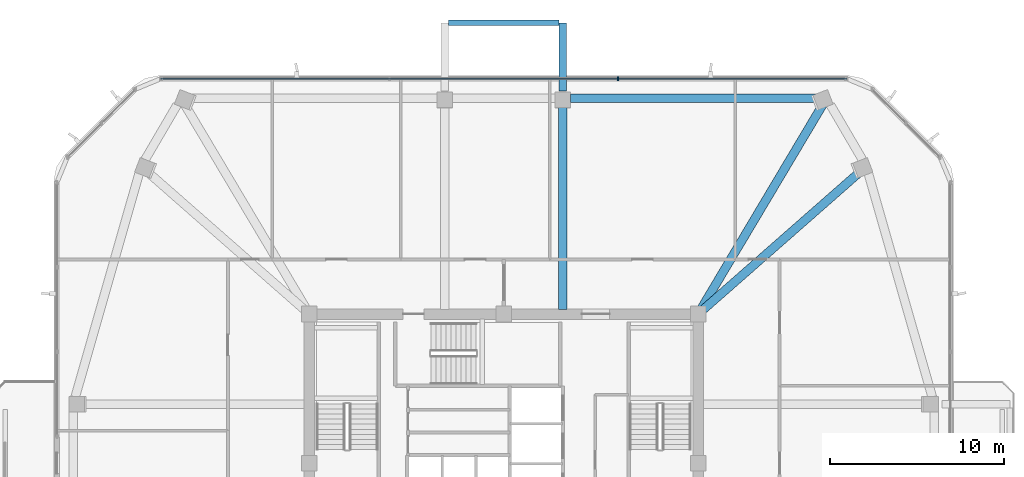
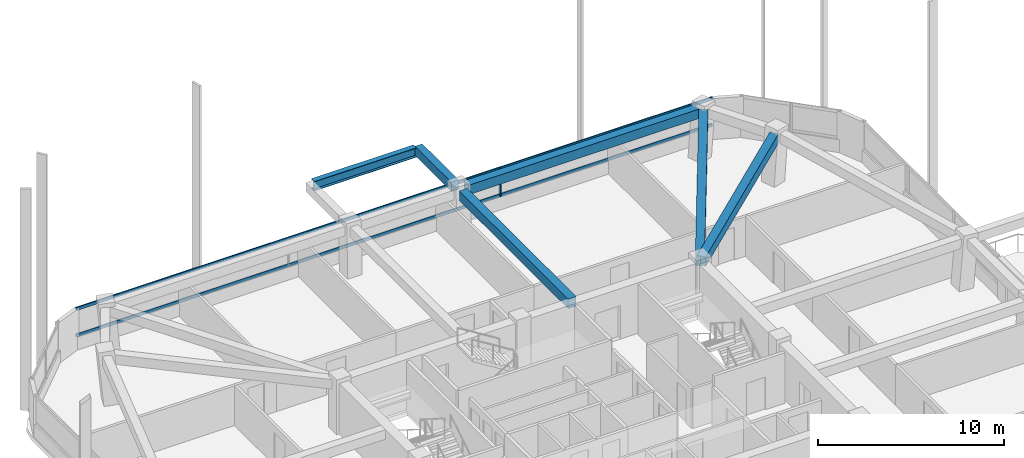
# One storey, part 7 of 17: 6 beams, 3 members, 1 element without a shape of its own.
"""IFC4 building model written with IfcOpenShell, lengths in metres."""

from ifc_helpers import new_model, si_unit, derived_unit, direction, frame, origin, origin_2d, place, context, subcontext, project, spatial, rectangle, i_section, extrude, material, material_profile, profile_set, type_object, element, aggregate, save


model = new_model("IFC4")

# Units and contexts
model_context = context("Model", 3, precision=1e-05, world=origin(), true_north=direction((0.0, 1.0)))
body_context = subcontext(model_context, "Body", "Model", "MODEL_VIEW")
ifc_project = project(units=[si_unit("LENGTHUNIT", "METRE"), si_unit("AREAUNIT", "SQUARE_METRE"), si_unit("VOLUMEUNIT", "CUBIC_METRE"), si_unit("PLANEANGLEUNIT", "RADIAN"), si_unit("MASSUNIT", "GRAM", prefix="KILO"), derived_unit("THERMALTRANSMITTANCEUNIT", [(si_unit("POWERUNIT", "WATT"), 1), (si_unit("LENGTHUNIT", "METRE"), -2), (si_unit("THERMODYNAMICTEMPERATUREUNIT", "KELVIN"), -1)])], contexts=[model_context])

# Site, building, storey
site_placement = place(None, origin())
site = spatial("IfcSite", under=ifc_project, at=site_placement, CompositionType="ELEMENT")
building_placement = place(site_placement, origin())
building = spatial("IfcBuilding", under=site, at=building_placement, Name="Koralith Skygarden Medical Center", CompositionType="ELEMENT")
storey_placement = place(building_placement, frame((0.0, 0.0, 207.179931640625)))
storey = spatial("IfcBuildingStorey", under=building, at=storey_placement, Name="L53", CompositionType="ELEMENT", Elevation=207.179931640625)

# Curtain wall, members
ifc_material_1 = material(Name="Clear Laminated Glass", Category="glass")
curtain_wall_type = type_object("IfcCurtainWallType", Name="CW-5 Zone 4 Flare Biophilic Curtain Wall", PredefinedType="NOTDEFINED", material=ifc_material_1)
curtain_wall_placement = place(storey_placement, origin())
curtain_wall = element("IfcCurtainWall", 1, at=curtain_wall_placement, inside=storey, type_object=curtain_wall_type, Name="Curtain Wall CW-L53-N", PredefinedType="NOTDEFINED")
ifc_material_2 = material(Name="Aluminium 6063-T6", Category="aluminium")
ifc_material_profile_1 = material_profile(ifc_material_2, rectangle(XDim=0.080078125, YDim=0.219970703125, at=origin_2d()), Name="MUL80X220")
ifc_profile_set_1 = profile_set([ifc_material_profile_1], Name="Aluminium 6063-T6")
member_type_1 = type_object("IfcMemberType", Name="CW-5 Extruded Mullion 80x220", PredefinedType="MULLION", material=ifc_profile_set_1)
member_1_placement = place(storey_placement, frame((43.592041015625, 48.056884765625, 0.85009765625), z_axis=(0.0, 0.0, 1.0), x_axis=(1.0, 0.0, 0.0)))
member_1 = element("IfcMember", 2, at=member_1_placement, type_object=member_type_1, Name="CW-L53-N Mullion 2", PredefinedType="MULLION", context=body_context, shape_type="SweptSolid", body=[
    extrude(rectangle(XDim=0.080078125, YDim=0.219970703125, at=origin_2d()), origin(), (0.0, 0.0, 1.0), 1.840087890625),
])
ifc_material_profile_2 = material_profile(ifc_material_2, rectangle(XDim=0.074951171875, YDim=0.197998046875, at=origin_2d()), Name="TRN75X198")
ifc_profile_set_2 = profile_set([ifc_material_profile_2], Name="Aluminium 6063-T6")
member_type_2 = type_object("IfcMemberType", Name="CW-5 Thermal Transom 75x198", PredefinedType="USERDEFINED", material=ifc_profile_set_2)
member_2_placement = place(storey_placement, frame((56.777099609375, 48.056884765625, 0.900146484375), z_axis=(-1.0, 0.0, 0.0), x_axis=(0.0, -1.0, 0.0)))
member_2 = element("IfcMember", 3, at=member_2_placement, type_object=member_type_2, Name="CW-L53-N Transom 1", ObjectType="TRANSOM", PredefinedType="USERDEFINED", context=body_context, shape_type="SweptSolid", body=[
    extrude(rectangle(XDim=0.074951171875, YDim=0.197998046875, at=origin_2d()), origin(), (0.0, 0.0, 1.0), 39.55419921875),
])
member_3_placement = place(storey_placement, frame((56.777099609375, 48.056884765625, 2.64013671875), z_axis=(-1.0, 0.0, 0.0), x_axis=(0.0, -1.0, 0.0)))
member_3 = element("IfcMember", 4, at=member_3_placement, type_object=member_type_2, Name="CW-L53-N Transom 2", ObjectType="TRANSOM", PredefinedType="USERDEFINED", context=body_context, shape_type="SweptSolid", body=[
    extrude(rectangle(XDim=0.074951171875, YDim=0.197998046875, at=origin_2d()), origin(), (0.0, 0.0, 1.0), 39.55419921875),
])
aggregate(curtain_wall, [member_1, member_2, member_3])

# Beams
ifc_material_3 = material(Name="Steel ASTM A992 Grade 50", Category="steel")
ifc_material_profile_3 = material_profile(ifc_material_3, i_section(OverallWidth=0.326904296875, OverallDepth=0.6220703125, WebThickness=0.015380859375, FlangeThickness=0.0244140625, at=origin_2d()), Name="W24X131")
ifc_profile_set_3 = profile_set([ifc_material_profile_3], Name="Steel ASTM A992 Grade 50")
beam_type_1 = type_object("IfcBeamType", Name="Cantilever Tie Beam W24X131", PredefinedType="BEAM", material=ifc_profile_set_3)
beam_1_placement = place(storey_placement, frame((33.820068359375, 51.282958984375, 3.029052734375), z_axis=(1.0, 0.0, 0.0), x_axis=(0.0, 1.0, 0.0)))
element("IfcBeam", 5, at=beam_1_placement, inside=storey, type_object=beam_type_1, Name="L54 N Balcony Tip Tie Beam", PredefinedType="BEAM", context=body_context, shape_type="SweptSolid", body=[
    extrude(i_section(OverallWidth=0.326904296875, OverallDepth=0.6220703125, WebThickness=0.015380859375, FlangeThickness=0.0244140625, at=origin_2d()), origin(), (0.0, 0.0, 1.0), 6.35986328125),
])
ifc_material_4 = material(Name="Concrete C45/55", Category="concrete")
ifc_material_profile_4 = material_profile(ifc_material_4, rectangle(XDim=0.449951171875, YDim=0.60009765625, at=origin_2d()), Name="RCB450X600")
ifc_profile_set_4 = profile_set([ifc_material_profile_4], Name="Concrete C45/55")
beam_type_2 = type_object("IfcBeamType", Name="Planted Balcony Cantilever Beam RCB450X600", PredefinedType="BEAM", material=ifc_profile_set_4)
beam_2_placement = place(storey_placement, frame((40.39990234375, 47.363037109375, 3.0400390625), z_axis=(0.0, 1.0, 0.0), x_axis=(-1.0, 0.0, 0.0)))
element("IfcBeam", 6, at=beam_2_placement, inside=storey, type_object=beam_type_2, Name="L54 N Balcony Cantilever Beam B", PredefinedType="BEAM", context=body_context, shape_type="SweptSolid", body=[
    extrude(rectangle(XDim=0.449951171875, YDim=0.60009765625, at=origin_2d()), origin(), (0.0, 0.0, 1.0), 3.919921875),
])
ifc_material_profile_5 = material_profile(ifc_material_4, rectangle(XDim=0.5, YDim=0.6201171875, at=origin_2d()), Name="RCB500X620")
ifc_profile_set_5 = profile_set([ifc_material_profile_5], Name="Concrete C45/55")
beam_type_3 = type_object("IfcBeamType", Name="Upper Radial Collector Beam RCB500X620", PredefinedType="BEAM", material=ifc_profile_set_5)
beam_3_placement = place(storey_placement, frame((48.387939453125, 34.6650390625, 3.010009765625), z_axis=(0.751405168883, 0.659841096155, 0.0), x_axis=(-0.659841096155, 0.751405168883, 0.0)))
element("IfcBeam", 7, at=beam_3_placement, inside=storey, type_object=beam_type_3, Name="L53 Radial Collector Beam RB-10", PredefinedType="BEAM", context=body_context, shape_type="SweptSolid", body=[
    extrude(rectangle(XDim=0.5, YDim=0.6201171875, at=origin_2d()), origin(), (0.0, 0.0, 1.0), 12.2119140625),
])
beam_4_placement = place(storey_placement, frame((48.327880859375, 34.715087890625, 3.010009765625), z_axis=(0.51161903501, 0.859212408555, 0.0), x_axis=(-0.859212408555, 0.51161903501, 0.0)))
element("IfcBeam", 8, at=beam_4_placement, inside=storey, type_object=beam_type_3, Name="L53 Radial Collector Beam RB-11", PredefinedType="BEAM", context=body_context, shape_type="SweptSolid", body=[
    extrude(rectangle(XDim=0.5, YDim=0.6201171875, at=origin_2d()), origin(), (0.0, 0.0, 1.0), 13.77978515625),
])
beam_5_placement = place(storey_placement, frame((40.39990234375, 34.75, 3.010009765625), z_axis=(0.0, 1.0, 0.0), x_axis=(-1.0, 0.0, 0.0)))
element("IfcBeam", 9, at=beam_5_placement, inside=storey, type_object=beam_type_3, Name="L53 Radial Collector Beam RB-12", PredefinedType="BEAM", context=body_context, shape_type="SweptSolid", body=[
    extrude(rectangle(XDim=0.5, YDim=0.6201171875, at=origin_2d()), origin(), (0.0, 0.0, 1.0), 11.742919921875),
])
ifc_material_profile_6 = material_profile(ifc_material_4, rectangle(XDim=0.5, YDim=0.6201171875, at=origin_2d()), Name="RCB500X620")
ifc_profile_set_6 = profile_set([ifc_material_profile_6], Name="Concrete C45/55")
beam_type_4 = type_object("IfcBeamType", Name="Zone 4-5 Spandrel Beam RCB500X620", PredefinedType="SPANDREL", material=ifc_profile_set_6)
beam_6_placement = place(storey_placement, frame((55.1630859375, 46.93310546875, 3.010009765625), z_axis=(-1.0, 0.0, 0.0), x_axis=(0.0, -1.0, 0.0)))
element("IfcBeam", 10, at=beam_6_placement, inside=storey, type_object=beam_type_4, Name="L53 Perimeter Spandrel Beam SP-11", PredefinedType="SPANDREL", context=body_context, shape_type="SweptSolid", body=[
    extrude(rectangle(XDim=0.5, YDim=0.6201171875, at=origin_2d()), origin(), (0.0, 0.0, 1.0), 14.322998046875),
])

save(model, "model.ifc")
